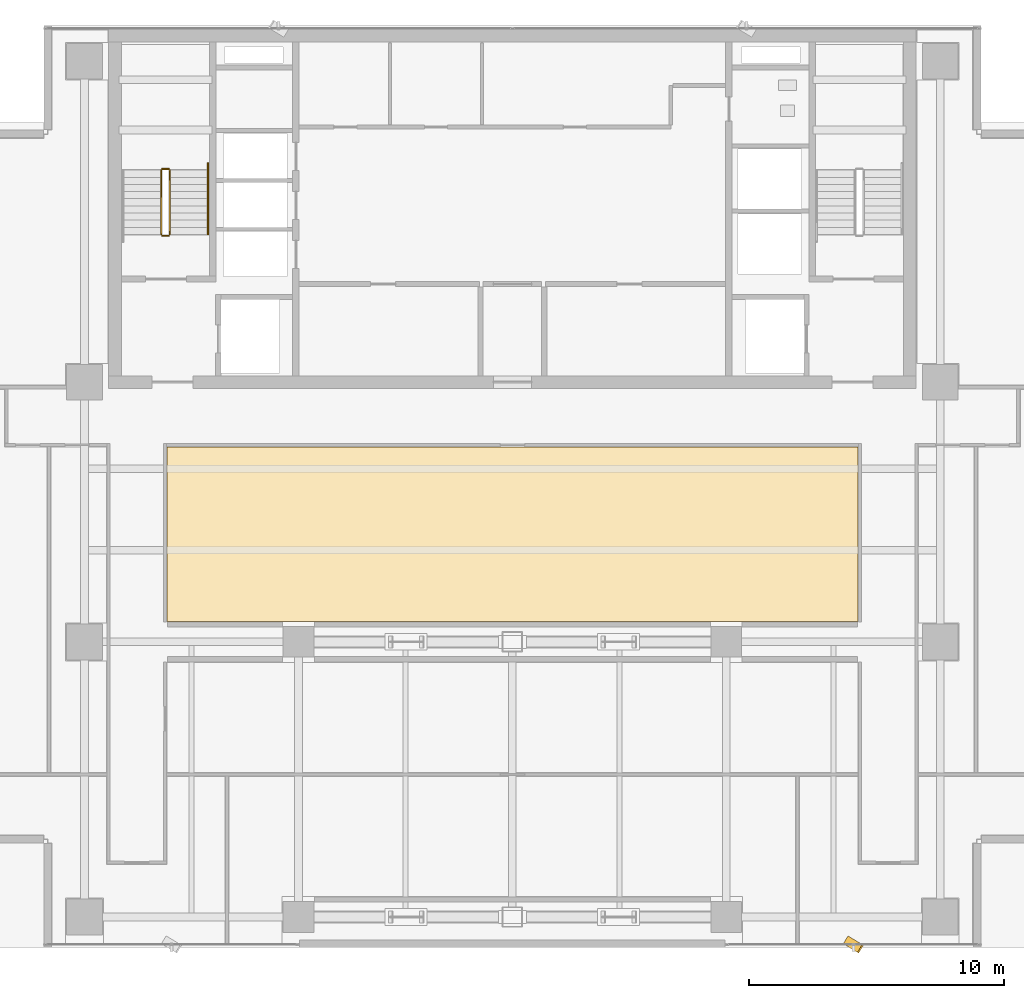
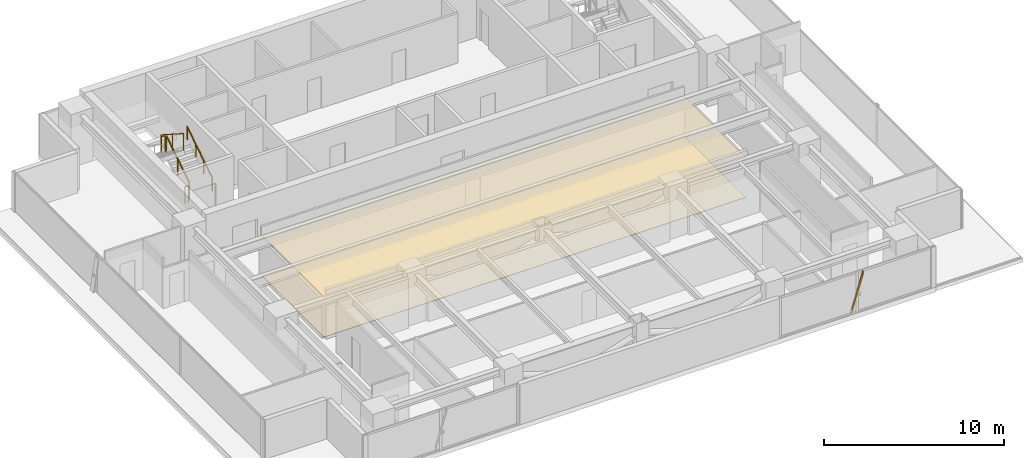
# One storey, part 24 of 27: 5 railings, 2 coverings, 1 shading device.
"""IFC4 building model written with IfcOpenShell, lengths in metres."""

from ifc_helpers import new_model, si_unit, direction, frame, origin, origin_2d, place, context, subcontext, project, spatial, polyline, rectangle, outline, extrude, source, transform, mapped, material, layer, layer_set, material_profile, profile_set, type_object, element, save


model = new_model("IFC4")

# Units and contexts
model_context = context("Model", 3, precision=1e-05, world=origin(), true_north=direction((0.0, 1.0)))
body_context = subcontext(model_context, "Body", "Model", "MODEL_VIEW")
ifc_project = project(units=[si_unit("LENGTHUNIT", "METRE"), si_unit("AREAUNIT", "SQUARE_METRE"), si_unit("VOLUMEUNIT", "CUBIC_METRE"), si_unit("PLANEANGLEUNIT", "RADIAN"), si_unit("MASSUNIT", "GRAM", prefix="KILO")], contexts=[model_context])

# Site, building, storey
site_placement = place(None, origin())
site = spatial("IfcSite", under=ifc_project, at=site_placement, CompositionType="ELEMENT")
building_placement = place(site_placement, origin())
building = spatial("IfcBuilding", under=site, at=building_placement, Name="Sumidabori Civic Tower", CompositionType="ELEMENT")
storey_placement = place(building_placement, frame((0.0, 0.0, 228.800048828125)))
storey = spatial("IfcBuildingStorey", under=building, at=storey_placement, Name="L59", CompositionType="ELEMENT", Elevation=228.800048828125)

# Coverings
ifc_material_1 = material(Name="Acoustic Mineral Gypsum Ceiling Tile")
ifc_layer_1 = layer(ifc_material_1, 0.034912109375, Name="Acoustic Mineral Gypsum Ceiling Tile")
ifc_layer_set_1 = layer_set([ifc_layer_1], Name="Acoustic Mineral Gypsum Ceiling Tile")
covering_type_1 = type_object("IfcCoveringType", Name="CV-CEIL-AC1", PredefinedType="CEILING", material=ifc_layer_set_1)
covering_1_placement = place(storey_placement, frame((0.0, 0.0, 2.719970703125)))
element("IfcCovering", 1, at=covering_1_placement, inside=storey, type_object=covering_type_1, Name="Room Acoustic Ceiling L59-03", PredefinedType="CEILING", context=body_context, shape_type="SweptSolid", body=[
    extrude(outline(polyline([(-13.56005859375, 7.659912109375), (13.56005859375, 7.659912109375), (13.56005859375, 0.800048828125), (-13.56005859375, 0.800048828125), (-13.56005859375, 7.659912109375)])), origin(), (0.0, 0.0, 1.0), 0.034912109375),
])
ifc_material_2 = material(Name="Honed Terrazzo Tile Flooring")
ifc_layer_2 = layer(ifc_material_2, 0.030029296875, Name="Honed Terrazzo Tile Flooring")
ifc_layer_set_2 = layer_set([ifc_layer_2], Name="Honed Terrazzo Tile Flooring")
covering_type_2 = type_object("IfcCoveringType", Name="CV-FLR-TER", PredefinedType="FLOORING", material=ifc_layer_set_2)
covering_2_placement = place(storey_placement, origin())
element("IfcCovering", 2, at=covering_2_placement, inside=storey, type_object=covering_type_2, Name="Room Terrazzo Floor L59-03", PredefinedType="FLOORING", context=body_context, shape_type="SweptSolid", body=[
    extrude(outline(polyline([(-13.56005859375, 7.659912109375), (13.56005859375, 7.659912109375), (13.56005859375, 0.800048828125), (-13.56005859375, 0.800048828125), (-13.56005859375, 7.659912109375)])), origin(), (0.0, 0.0, 1.0), 0.030029296875),
])

# Railings
ifc_material_3 = material(Name="Stainless Steel Hairline Finish", Category="steel")
railing_type_1 = type_object("IfcRailingType", Name="RL-HANDRAIL", PredefinedType="HANDRAIL", material=ifc_material_3)
railing_1_placement = place(storey_placement, frame((-11.949951171875, 16.0, 0.179931640625)))
element("IfcRailing", 3, at=railing_1_placement, inside=storey, type_object=railing_type_1, Name="L59 ST-1 stair handrail 1", PredefinedType="HANDRAIL", context=body_context, shape_type="SweptSolid", body=[
    extrude(rectangle(XDim=0.048095703125, YDim=0.048095703125, at=origin_2d()), frame((0.0, 0.0, 0.8759765625), z_axis=(0.0, 0.840675598268, 0.541539046124), x_axis=(-1.0, 0.0, 0.0)), (0.0, 0.0, 1.0), 3.330810546875),
    extrude(rectangle(XDim=0.0419921875, YDim=0.0419921875, at=origin_2d()), origin(), (0.0, 0.0, 1.0), 0.851806640625),
    extrude(rectangle(XDim=0.0419921875, YDim=0.0419921875, at=origin_2d()), frame((0.0, 0.933349609375, 0.601318359375)), (0.0, 0.0, 1.0), 0.851806640625),
    extrude(rectangle(XDim=0.0419921875, YDim=0.0419921875, at=origin_2d()), frame((0.0, 1.86669921875, 1.202392578125)), (0.0, 0.0, 1.0), 0.851806640625),
    extrude(rectangle(XDim=0.0419921875, YDim=0.0419921875, at=origin_2d()), frame((0.0, 2.800048828125, 1.8037109375)), (0.0, 0.0, 1.0), 0.851806640625),
])
ifc_material_4 = material(Name="Steel SN490", Category="steel")
railing_type_2 = type_object("IfcRailingType", Name="RL-STAIR-GUARD", PredefinedType="GUARDRAIL", material=ifc_material_4)
railing_2_placement = place(storey_placement, frame((-13.449951171875, 16.0, 0.179931640625)))
element("IfcRailing", 4, at=railing_2_placement, inside=storey, type_object=railing_type_2, Name="L59 ST-1 stair guard 1", PredefinedType="GUARDRAIL", context=body_context, shape_type="SweptSolid", body=[
    extrude(rectangle(XDim=0.048095703125, YDim=0.048095703125, at=origin_2d()), frame((0.0, 0.0, 1.1259765625), z_axis=(0.0, 0.841162588446, 0.540782303519), x_axis=(-1.0, 0.0, 0.0)), (0.0, 0.0, 1.0), 2.995849609375),
    extrude(rectangle(XDim=0.0419921875, YDim=0.0419921875, at=origin_2d()), origin(), (0.0, 0.0, 1.0), 1.101806640625),
    extrude(rectangle(XDim=0.0419921875, YDim=0.0419921875, at=origin_2d()), frame((0.0, 1.260009765625, 0.81005859375)), (0.0, 0.0, 1.0), 1.101806640625),
    extrude(rectangle(XDim=0.0419921875, YDim=0.0419921875, at=origin_2d()), frame((0.0, 2.52001953125, 1.6201171875)), (0.0, 0.0, 1.0), 1.101806640625),
])
railing_3_placement = place(storey_placement, frame((-13.5, 18.570068359375, 1.800048828125)))
element("IfcRailing", 5, at=railing_3_placement, inside=storey, type_object=railing_type_2, Name="L59 ST-1 stair guard 2", PredefinedType="GUARDRAIL", context=body_context, shape_type="SweptSolid", body=[
    extrude(rectangle(XDim=0.048095703125, YDim=0.048095703125, at=origin_2d()), frame((0.0, 0.0, 1.1259765625), z_axis=(-1.0, 0.0, 0.0), x_axis=(0.0, -1.0, 0.0)), (0.0, 0.0, 1.0), 0.239990234375),
    extrude(rectangle(XDim=0.0419921875, YDim=0.0419921875, at=origin_2d()), origin(), (0.0, 0.0, 1.0), 1.101806640625),
    extrude(rectangle(XDim=0.0419921875, YDim=0.0419921875, at=origin_2d()), frame((-0.239990234375, 0.0, 0.0)), (0.0, 0.0, 1.0), 1.101806640625),
])
railing_4_placement = place(storey_placement, frame((-13.7900390625, 18.52001953125, 1.97998046875)))
element("IfcRailing", 6, at=railing_4_placement, inside=storey, type_object=railing_type_2, Name="L59 ST-1 stair guard 3", PredefinedType="GUARDRAIL", context=body_context, shape_type="SweptSolid", body=[
    extrude(rectangle(XDim=0.048095703125, YDim=0.048095703125, at=origin_2d()), frame((0.0, 0.0, 1.1259765625), z_axis=(0.0, -0.841199657755, 0.540724639528), x_axis=(1.0, 0.0, 0.0)), (0.0, 0.0, 1.0), 2.995849609375),
    extrude(rectangle(XDim=0.0419921875, YDim=0.0419921875, at=origin_2d()), origin(), (0.0, 0.0, 1.0), 1.101806640625),
    extrude(rectangle(XDim=0.0419921875, YDim=0.0419921875, at=origin_2d()), frame((0.0, -1.260009765625, 0.81005859375)), (0.0, 0.0, 1.0), 1.101806640625),
    extrude(rectangle(XDim=0.0419921875, YDim=0.0419921875, at=origin_2d()), frame((0.0, -2.52001953125, 1.619873046875)), (0.0, 0.0, 1.0), 1.101806640625),
])
railing_5_placement = place(storey_placement, frame((-13.5, 15.949951171875, 0.0)))
element("IfcRailing", 7, at=railing_5_placement, inside=storey, type_object=railing_type_2, Name="L59 ST-1 stair guard 4", PredefinedType="GUARDRAIL", context=body_context, shape_type="SweptSolid", body=[
    extrude(rectangle(XDim=0.048095703125, YDim=0.048095703125, at=origin_2d()), frame((0.0, 0.0, 1.1259765625), z_axis=(-1.0, 0.0, 0.0), x_axis=(0.0, -1.0, 0.0)), (0.0, 0.0, 1.0), 0.239990234375),
    extrude(rectangle(XDim=0.0419921875, YDim=0.0419921875, at=origin_2d()), origin(), (0.0, 0.0, 1.0), 1.101806640625),
    extrude(rectangle(XDim=0.0419921875, YDim=0.0419921875, at=origin_2d()), frame((-0.239990234375, 0.0, 0.0)), (0.0, 0.0, 1.0), 1.101806640625),
])

# Shading device
ifc_material_5 = material(Name="Anodised Bronze Aluminium AW-6063-T6", Category="aluminium")
ifc_material_profile = material_profile(ifc_material_5, rectangle(XDim=0.054931640625, YDim=0.360107421875, at=origin_2d()), Name="BRONZE FIN 360x55")
ifc_profile_set = profile_set([ifc_material_profile], Name="Anodised Bronze Aluminium AW-6063-T6")
shading_device_type = type_object("IfcShadingDeviceType", Name="SH-FIN-360", PredefinedType="USERDEFINED", material=ifc_profile_set)
shared_shape = source(origin(), body_context, "Body", "SweptSolid", [
    extrude(rectangle(XDim=0.054931640625, YDim=0.360107421875, at=origin_2d()), origin(), (0.0, 0.0, 1.0), 2.7685546875),
])
shading_device_placement = place(storey_placement, frame((13.10498046875, -11.7099609375, 0.02001953125), z_axis=(0.202289930374, -0.122837782481, 0.971591304646), x_axis=(0.830469701518, -0.504291322674, -0.236665030656)))
element("IfcShadingDevice", 8, at=shading_device_placement, inside=storey, type_object=shading_device_type, Name="Bronze Anodised Diagonal Fin L59-01", ObjectType="FIN", PredefinedType="USERDEFINED", context=body_context, shape_type="MappedRepresentation", body=[
    mapped(shared_shape, transform((0.0, 0.0, 0.0), x_axis=(1.0, 0.0, 0.0), y_axis=(0.0, 1.0, 0.0), z_axis=(0.0, 0.0, 1.0), scale=1.0)),
])

save(model, "model.ifc")
